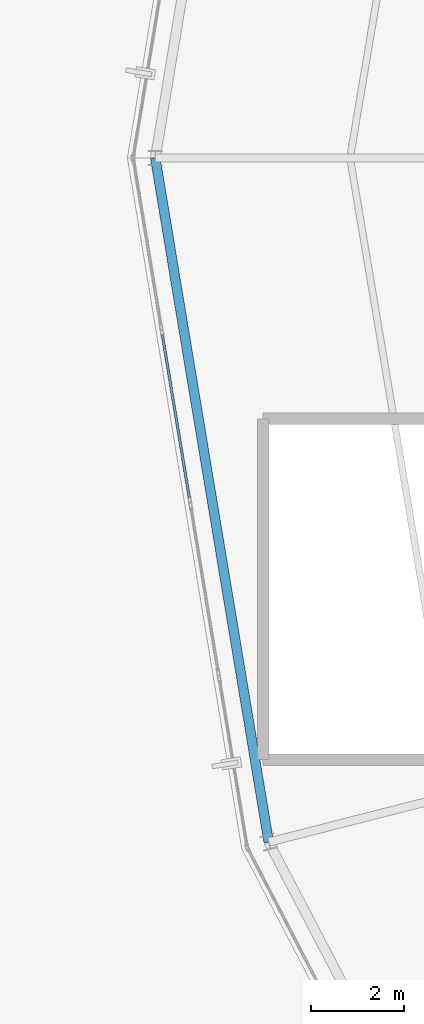
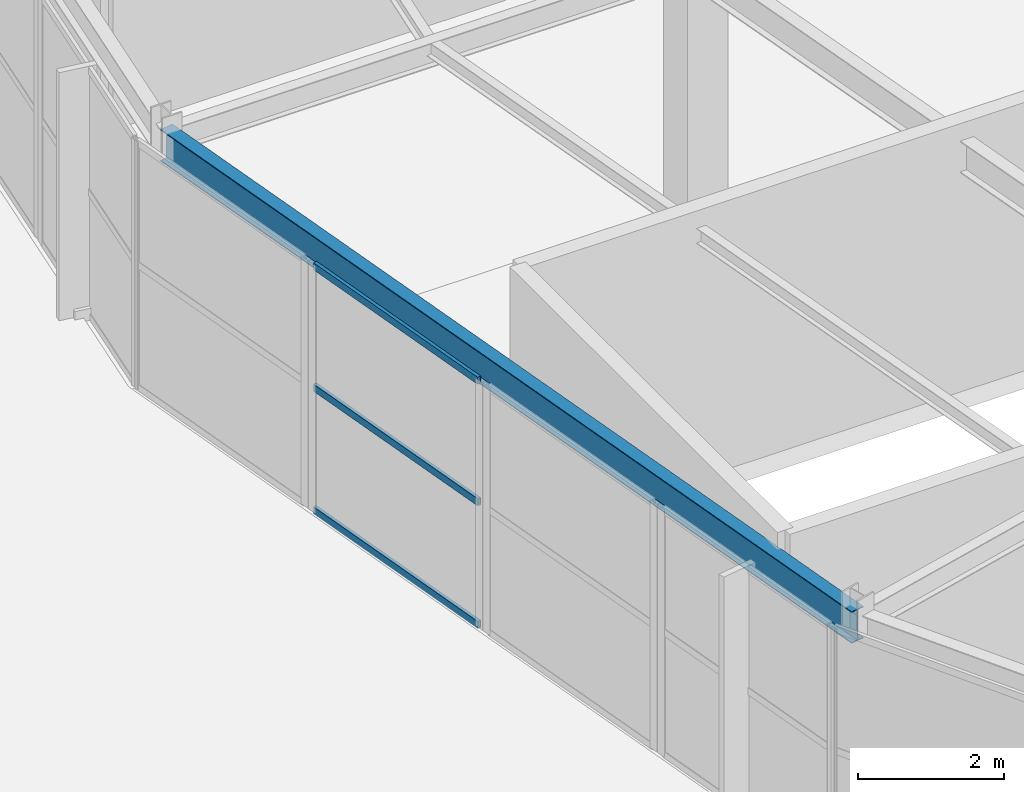
# One storey, part 30 of 126: 3 members, 1 beam, 1 element without a shape of its own.
"""IFC4 building model written with IfcOpenShell, lengths in metres."""

from ifc_helpers import new_model, si_unit, direction, frame, origin, origin_2d, place, context, subcontext, project, spatial, hollow_rectangle, i_section, extrude, material, layer, layer_set, material_profile, profile_set, type_object, element, aggregate, save


model = new_model("IFC4")

# Units and contexts
model_context = context("Model", 3, precision=1e-05, world=origin(), true_north=direction((0.0, 1.0)))
body_context = subcontext(model_context, "Body", "Model", "MODEL_VIEW")
ifc_project = project(units=[si_unit("LENGTHUNIT", "METRE"), si_unit("AREAUNIT", "SQUARE_METRE"), si_unit("VOLUMEUNIT", "CUBIC_METRE"), si_unit("PLANEANGLEUNIT", "RADIAN"), si_unit("MASSUNIT", "GRAM", prefix="KILO")], contexts=[model_context])

# Site, building, storey
site_placement = place(None, origin())
site = spatial("IfcSite", under=ifc_project, at=site_placement, CompositionType="ELEMENT")
building_placement = place(site_placement, origin())
building = spatial("IfcBuilding", under=site, at=building_placement, Name="Kalgoora Escarpment Arena", CompositionType="ELEMENT")
storey_placement = place(building_placement, frame((0.0, 0.0, 18.89990234375)))
storey = spatial("IfcBuildingStorey", under=building, at=storey_placement, Name="L04", CompositionType="ELEMENT", Elevation=18.89990234375)

# Beam
ifc_material_1 = material(Name="Structural steel AS/NZS 3679 (300 MPa)", Category="steel")
ifc_material_profile_1 = material_profile(ifc_material_1, i_section(OverallWidth=0.208984375, OverallDepth=0.532958984375, WebThickness=0.01025390625, FlangeThickness=0.015625, at=origin_2d()))
ifc_profile_set_1 = profile_set([ifc_material_profile_1], Name="Structural steel AS/NZS 3679 (300 MPa)")
beam_type = type_object("IfcBeamType", Name="BM-SPANDREL-530UB92.4", PredefinedType="SPANDREL", material=ifc_profile_set_1)
beam_placement = place(storey_placement, frame((20.60009765625, 64.0, 3.943603515625), z_axis=(0.163586163215, -0.98652905036, 0.0), x_axis=(0.98652905036, 0.163586163215, 0.0)))
element("IfcBeam", 1, at=beam_placement, inside=storey, type_object=beam_type, Name="L04 Circumferential concourse girder RCONC2 530UB92.4", PredefinedType="SPANDREL", context=body_context, shape_type="SweptSolid", body=[
    extrude(i_section(OverallWidth=0.208984375, OverallDepth=0.532958984375, WebThickness=0.01025390625, FlangeThickness=0.015625, at=origin_2d()), origin(), (0.0, 0.0, 1.0), 14.9541015625),
])

# Curtain wall, members
ifc_material_2 = material(Name=" Champagne anodised aluminium & double-glazed low-E", Category="aluminium")
ifc_layer = layer(ifc_material_2, 0.157958984375)
ifc_layer_set = layer_set([ifc_layer], Name="CW-UNIT-17")
curtain_wall_type = type_object("IfcCurtainWallType", Name="CW-UNIT-17", PredefinedType="NOTDEFINED", material=ifc_layer_set)
curtain_wall_placement = place(storey_placement, origin())
curtain_wall = element("IfcCurtainWall", 2, at=curtain_wall_placement, inside=storey, type_object=curtain_wall_type, Name="L04 unitised facade curtain wall 136", PredefinedType="NOTDEFINED")
ifc_material_3 = material(Name="Anodised aluminium 6063-T6", Category="aluminium")
ifc_material_profile_2 = material_profile(ifc_material_3, hollow_rectangle(XDim=0.054931640625, YDim=0.1201171875, WallThickness=0.003173828125, at=origin_2d()))
ifc_profile_set_2 = profile_set([ifc_material_profile_2], Name="Anodised aluminium 6063-T6")
member_type = type_object("IfcMemberType", Name="MEM-CW-TRAN-120", PredefinedType="USERDEFINED", material=ifc_profile_set_2)
member_1_placement = place(storey_placement, frame((21.333984375, 56.674072265625, 0.047607421875), z_axis=(-0.163252696722, 0.98658428784, 0.0), x_axis=(-0.98658428784, -0.163252696722, 0.0)))
member_1 = element("IfcMember", 3, at=member_1_placement, type_object=member_type, Name="CW-17 transom 1.1", ObjectType="TRANSOM", PredefinedType="USERDEFINED", context=body_context, shape_type="SweptSolid", body=[
    extrude(hollow_rectangle(XDim=0.054931640625, YDim=0.1201171875, WallThickness=0.003173828125, at=origin_2d()), origin(), (0.0, 0.0, 1.0), 3.557861328125),
])
member_2_placement = place(storey_placement, frame((21.333984375, 56.674072265625, 2.10498046875), z_axis=(-0.163252696722, 0.98658428784, 0.0), x_axis=(-0.98658428784, -0.163252696722, 0.0)))
member_2 = element("IfcMember", 4, at=member_2_placement, type_object=member_type, Name="CW-17 transom 1.2", ObjectType="TRANSOM", PredefinedType="USERDEFINED", context=body_context, shape_type="SweptSolid", body=[
    extrude(hollow_rectangle(XDim=0.054931640625, YDim=0.1201171875, WallThickness=0.003173828125, at=origin_2d()), origin(), (0.0, 0.0, 1.0), 3.557861328125),
])
member_3_placement = place(storey_placement, frame((21.333984375, 56.674072265625, 4.142578125), z_axis=(-0.163252696722, 0.98658428784, 0.0), x_axis=(-0.98658428784, -0.163252696722, 0.0)))
member_3 = element("IfcMember", 5, at=member_3_placement, type_object=member_type, Name="CW-17 transom 1.3", ObjectType="TRANSOM", PredefinedType="USERDEFINED", context=body_context, shape_type="SweptSolid", body=[
    extrude(hollow_rectangle(XDim=0.054931640625, YDim=0.1201171875, WallThickness=0.003173828125, at=origin_2d()), origin(), (0.0, 0.0, 1.0), 3.557861328125),
])
aggregate(curtain_wall, [member_1, member_2, member_3])

save(model, "model.ifc")
